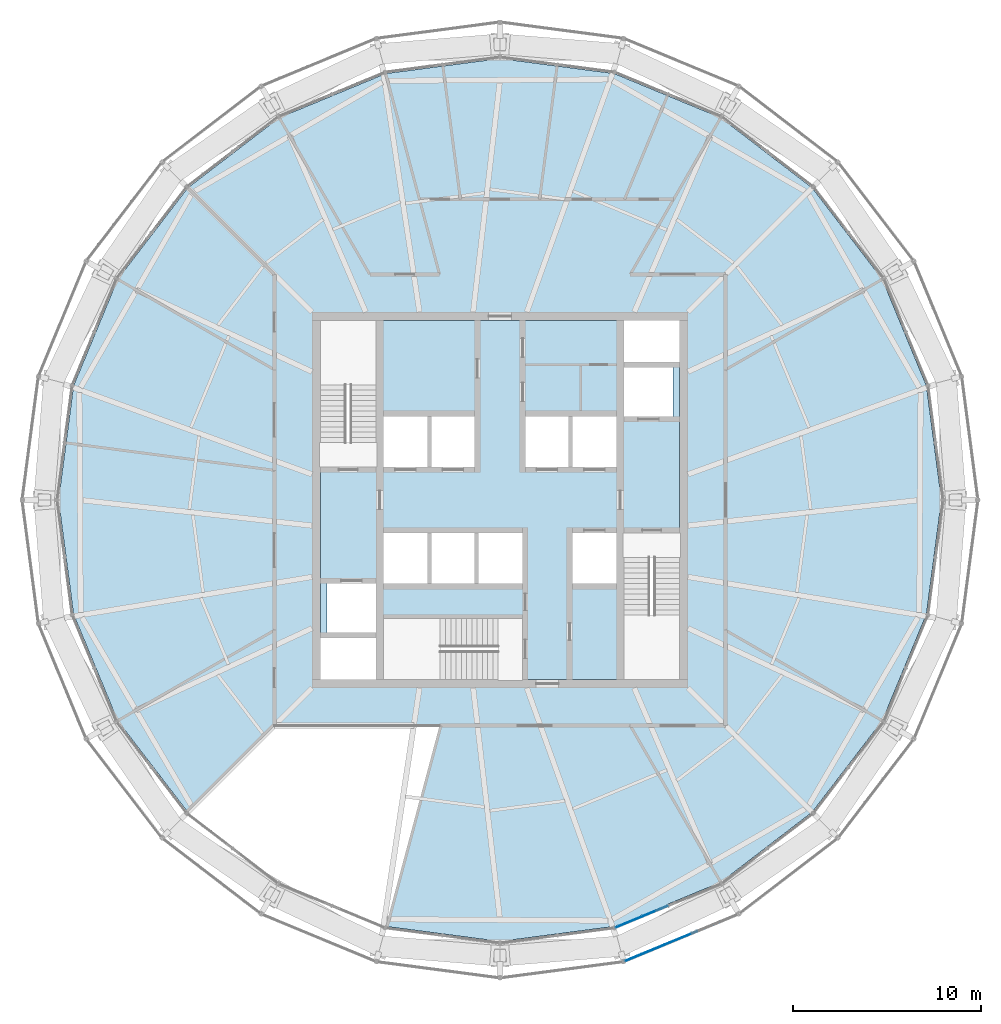
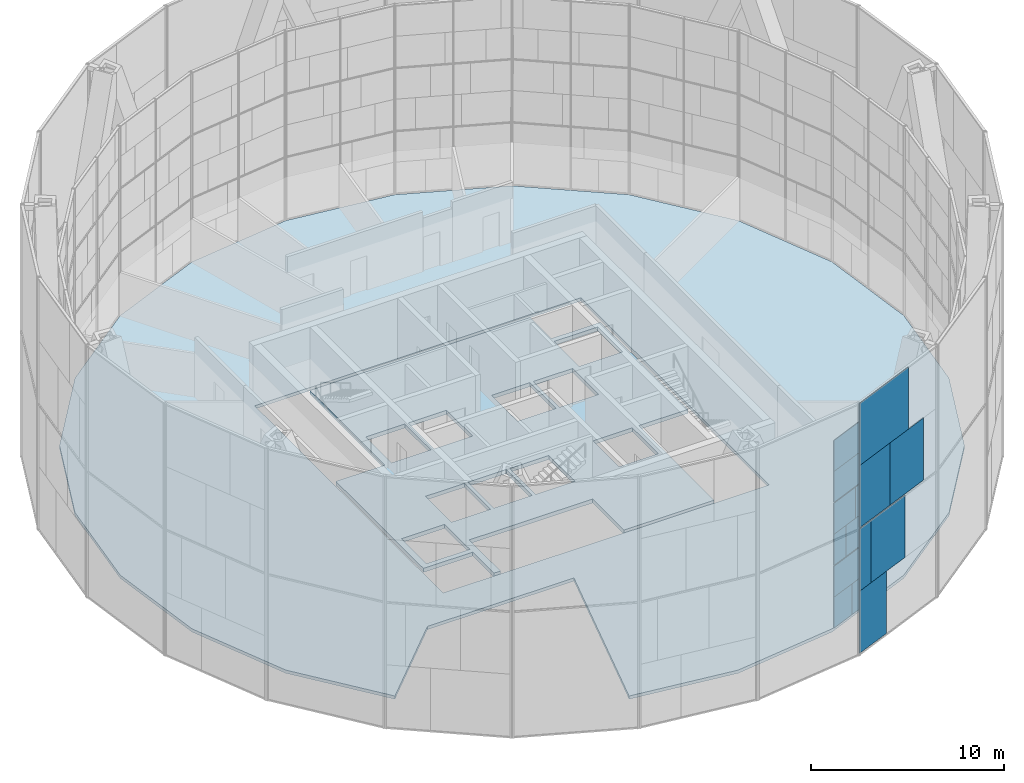
# One storey, part 15 of 26: 15 plates, 2 slabs, 2 elements without a shape of their own.
"""IFC4 building model written with IfcOpenShell, lengths in metres."""

from ifc_helpers import new_model, si_unit, direction, frame, origin, origin_2d, place, context, subcontext, project, spatial, polyline, rectangle, outline, extrude, material, layer, layer_set, type_object, element, aggregate, save


model = new_model("IFC4")

# Units and contexts
model_context = context("Model", 3, precision=1e-05, world=origin(), true_north=direction((0.0, 1.0)))
body_context = subcontext(model_context, "Body", "Model", "MODEL_VIEW")
ifc_project = project(units=[si_unit("LENGTHUNIT", "METRE"), si_unit("AREAUNIT", "SQUARE_METRE"), si_unit("VOLUMEUNIT", "CUBIC_METRE"), si_unit("PLANEANGLEUNIT", "RADIAN"), si_unit("MASSUNIT", "GRAM", prefix="KILO")], contexts=[model_context])

# Site, building, storey
site_placement = place(None, origin())
site = spatial("IfcSite", under=ifc_project, at=site_placement, CompositionType="ELEMENT")
building_placement = place(site_placement, origin())
building = spatial("IfcBuilding", under=site, at=building_placement, Name="Golbaran Civic Tower", CompositionType="ELEMENT")
storey_placement = place(building_placement, frame((0.0, 0.0, 199.0)))
storey = spatial("IfcBuildingStorey", under=building, at=storey_placement, Name="L48", CompositionType="ELEMENT", Elevation=199.0)

# Slabs
ifc_material_1 = material(Name="Concrete LC30/33 lightweight on steel deck", Category="concrete")
ifc_layer_1 = layer(ifc_material_1, 0.199951171875, Name="Concrete LC30/33 lightweight on steel deck")
ifc_layer_set_1 = layer_set([ifc_layer_1], Name="Concrete LC30/33 lightweight on steel deck")
slab_type_1 = type_object("IfcSlabType", Name="COMPOSITE FLOOR SLAB 200", PredefinedType="FLOOR", material=ifc_layer_set_1)
slab_1_placement = place(storey_placement, frame((0.0, 0.0, -0.199951171875)))
element("IfcSlab", 1, at=slab_1_placement, inside=storey, type_object=slab_type_1, Name="Floor slab L48", PredefinedType="FLOOR", context=body_context, shape_type="SweptSolid", body=[
    extrude(outline(polyline([(16.607421875, -16.607421875), (11.7431640625, -20.33984375), (6.07861328125, -22.68603515625), (0.0, -23.486328125), (-6.07861328125, -22.68603515625), (-3.21533203125, -12.0), (-12.0, -12.0), (-16.607421875, -16.607421875), (-20.33984375, -11.7431640625), (-22.68603515625, -6.07861328125), (-23.486328125, 0.0), (-22.68603515625, 6.07861328125), (-20.33984375, 11.7431640625), (-16.607421875, 16.607421875), (-11.7431640625, 20.33984375), (-6.07861328125, 22.68603515625), (0.0, 23.486328125), (6.07861328125, 22.68603515625), (11.7431640625, 20.33984375), (16.607421875, 16.607421875), (20.33984375, 11.7431640625), (22.68603515625, 6.07861328125), (23.486328125, 0.0), (22.68603515625, -6.07861328125), (20.33984375, -11.7431640625), (16.607421875, -16.607421875)]), holes=[polyline([(-9.77490234375, -9.77490234375), (9.77490234375, -9.77490234375), (9.77490234375, 9.77490234375), (-9.77490234375, 9.77490234375), (-9.77490234375, -9.77490234375)])]), origin(), (0.0, 0.0, 1.0), 0.199951171875),
])
ifc_material_2 = material(Name="Concrete C35/45", Category="concrete")
ifc_layer_2 = layer(ifc_material_2, 0.25, Name="Concrete C35/45")
ifc_layer_set_2 = layer_set([ifc_layer_2], Name="Concrete C35/45")
slab_type_2 = type_object("IfcSlabType", Name="CORE FLOOR SLAB 250", PredefinedType="FLOOR", material=ifc_layer_set_2)
slab_2_placement = place(storey_placement, frame((0.0, 0.0, -0.25)))
element("IfcSlab", 2, at=slab_2_placement, inside=storey, type_object=slab_type_2, Name="Core floor slab L48", PredefinedType="FLOOR", context=body_context, shape_type="SweptSolid", body=[
    extrude(outline(polyline([(6.60009765625, -1.75), (6.60009765625, -9.550048828125), (1.199951171875, -9.550048828125), (1.199951171875, -6.300048828125), (-6.199951171875, -6.300048828125), (-6.199951171875, -9.550048828125), (-6.60009765625, -9.550048828125), (-6.60009765625, -7.35009765625), (-9.550048828125, -7.35009765625), (-9.550048828125, 1.75), (-6.60009765625, 1.75), (-6.60009765625, 9.550048828125), (6.60009765625, 9.550048828125), (6.60009765625, 7.35009765625), (9.550048828125, 7.35009765625), (9.550048828125, -1.75), (6.60009765625, -1.75)]), holes=[polyline([(9.199951171875, 7.050048828125), (6.60009765625, 7.050048828125), (6.60009765625, 4.449951171875), (9.199951171875, 4.449951171875), (9.199951171875, 7.050048828125)]), polyline([(6.199951171875, -1.75), (3.85009765625, -1.75), (3.85009765625, -4.449951171875), (6.199951171875, -4.449951171875), (6.199951171875, -1.75)]), polyline([(6.199951171875, 4.449951171875), (3.85009765625, 4.449951171875), (3.85009765625, 1.75), (6.199951171875, 1.75), (6.199951171875, 4.449951171875)]), polyline([(3.64990234375, 4.449951171875), (1.35009765625, 4.449951171875), (1.35009765625, 1.75), (3.64990234375, 1.75), (3.64990234375, 4.449951171875)]), polyline([(1.199951171875, -1.75), (-1.14990234375, -1.75), (-1.14990234375, -4.449951171875), (1.199951171875, -4.449951171875), (1.199951171875, -1.75)]), polyline([(-1.35009765625, 4.449951171875), (-3.64990234375, 4.449951171875), (-3.64990234375, 1.75), (-1.35009765625, 1.75), (-1.35009765625, 4.449951171875)]), polyline([(-1.35009765625, -1.75), (-3.64990234375, -1.75), (-3.64990234375, -4.449951171875), (-1.35009765625, -4.449951171875), (-1.35009765625, -1.75)]), polyline([(-3.85009765625, -1.75), (-6.199951171875, -1.75), (-6.199951171875, -4.449951171875), (-3.85009765625, -4.449951171875), (-3.85009765625, -1.75)]), polyline([(-3.85009765625, 4.449951171875), (-6.199951171875, 4.449951171875), (-6.199951171875, 1.75), (-3.85009765625, 1.75), (-3.85009765625, 4.449951171875)]), polyline([(-6.60009765625, -4.449951171875), (-9.199951171875, -4.449951171875), (-9.199951171875, -7.050048828125), (-6.60009765625, -7.050048828125), (-6.60009765625, -4.449951171875)])]), origin(), (0.0, 0.0, 1.0), 0.25),
])

# Curtain wall, plates
ifc_material_3 = material(Name="Aluminium and glass", Category="aluminium")
curtain_wall_type_1 = type_object("IfcCurtainWallType", Name="INNER SKIN CURTAIN WALL EXECUTIVE", PredefinedType="NOTDEFINED", material=ifc_material_3)
curtain_wall_1_placement = place(storey_placement, origin())
curtain_wall_1 = element("IfcCurtainWall", 3, at=curtain_wall_1_placement, inside=storey, type_object=curtain_wall_type_1, Name="Inner skin L48 facet 20 CW2", ObjectType="INNER SKIN", PredefinedType="USERDEFINED")
ifc_material_4 = material(Name="Clear insulating glass", Category="glass")
ifc_layer_3 = layer(ifc_material_4, 0.031982421875, Name="Clear insulating glass")
ifc_layer_set_3 = layer_set([ifc_layer_3], Name="Clear insulating glass")
plate_type_1 = type_object("IfcPlateType", Name="INNER SKIN CURTAIN WALL EXECUTIVE GLAZED PANEL", PredefinedType="CURTAIN_PANEL", material=ifc_layer_set_3)
plate_1_placement = place(storey_placement, frame((8.251708984375, -21.87255859375, 0.06005859375), z_axis=(0.0, 0.0, 1.0), x_axis=(0.923879532518, 0.382683432349, 0.0)))
plate_1 = element("IfcPlate", 4, at=plate_1_placement, type_object=plate_type_1, Name="CW2 panel 1.1 part 2", PredefinedType="CURTAIN_PANEL", context=body_context, shape_type="SweptSolid", body=[
    extrude(rectangle(XDim=1.43310546875, YDim=0.031982421875, at=origin_2d()), origin(), (0.0, 0.0, 1.0), 1.955078125),
])
plate_2_placement = place(storey_placement, frame((6.634033203125, -22.54248046875, 4.02978515625), z_axis=(0.0, 0.0, 1.0), x_axis=(0.923879532518, 0.382683432349, 0.0)))
plate_2 = element("IfcPlate", 5, at=plate_2_placement, type_object=plate_type_1, Name="CW2 panel 1.2 part 1", PredefinedType="CURTAIN_PANEL", context=body_context, shape_type="SweptSolid", body=[
    extrude(rectangle(XDim=1.037109375, YDim=0.031982421875, at=origin_2d()), origin(), (0.0, 0.0, 1.0), 1.969970703125),
])
plate_3_placement = place(storey_placement, frame((6.99658203125, -22.392333984375, 6.0), z_axis=(0.0, 0.0, 1.0), x_axis=(0.923879532518, 0.382683432349, 0.0)))
plate_3 = element("IfcPlate", 6, at=plate_3_placement, type_object=plate_type_1, Name="CW2 panel 1.2 part 3", PredefinedType="CURTAIN_PANEL", context=body_context, shape_type="SweptSolid", body=[
    extrude(rectangle(XDim=1.822021484375, YDim=0.031982421875, at=origin_2d()), origin(), (0.0, 0.0, 1.0), 1.969970703125),
])
plate_4_placement = place(storey_placement, frame((7.34912109375, -22.246337890625, 8.030029296875), z_axis=(0.0, 0.0, 1.0), x_axis=(0.923879532518, 0.382683432349, 0.0)))
plate_4 = element("IfcPlate", 7, at=plate_4_placement, type_object=plate_type_1, Name="CW2 panel 1.3 part 1", PredefinedType="CURTAIN_PANEL", context=body_context, shape_type="SweptSolid", body=[
    extrude(rectangle(XDim=2.5849609375, YDim=0.031982421875, at=origin_2d()), origin(), (0.0, 0.0, 1.0), 1.955078125),
])
plate_5_placement = place(storey_placement, frame((7.534423828125, -22.169677734375, 9.98486328125), z_axis=(0.0, 0.0, 1.0), x_axis=(0.923879532518, 0.382683432349, 0.0)))
plate_5 = element("IfcPlate", 8, at=plate_5_placement, type_object=plate_type_1, Name="CW2 panel 1.3 part 3", PredefinedType="CURTAIN_PANEL", context=body_context, shape_type="SweptSolid", body=[
    extrude(rectangle(XDim=2.986083984375, YDim=0.031982421875, at=origin_2d()), origin(), (0.0, 0.0, 1.0), 1.955078125),
])
ifc_material_5 = material(Name="Aluminium faced opaque infill panel", Category="aluminium")
ifc_layer_4 = layer(ifc_material_5, 0.031982421875, Name="Aluminium faced opaque infill panel")
ifc_layer_set_4 = layer_set([ifc_layer_4], Name="Aluminium faced opaque infill panel")
plate_type_2 = type_object("IfcPlateType", Name="INNER SKIN CURTAIN WALL EXECUTIVE OPAQUE INFILL PANEL", PredefinedType="CURTAIN_PANEL", material=ifc_layer_set_4)
plate_6_placement = place(storey_placement, frame((6.872314453125, -22.44384765625, 0.06005859375), z_axis=(0.0, 0.0, 1.0), x_axis=(0.923879532518, 0.382683432349, 0.0)))
plate_6 = element("IfcPlate", 9, at=plate_6_placement, type_object=plate_type_2, Name="CW2 infill panel 1.1 part 1", PredefinedType="CURTAIN_PANEL", context=body_context, shape_type="SweptSolid", body=[
    extrude(rectangle(XDim=1.552978515625, YDim=0.031982421875, at=origin_2d()), origin(), (0.0, 0.0, 1.0), 1.955078125),
])
plate_7_placement = place(storey_placement, frame((7.232177734375, -22.294921875, 2.014892578125), z_axis=(0.0, 0.0, 1.0), x_axis=(0.923879532518, 0.382683432349, 0.0)))
plate_7 = element("IfcPlate", 10, at=plate_7_placement, type_object=plate_type_2, Name="CW2 infill panel 1.1 part 3", PredefinedType="CURTAIN_PANEL", context=body_context, shape_type="SweptSolid", body=[
    extrude(rectangle(XDim=2.33203125, YDim=0.031982421875, at=origin_2d()), origin(), (0.0, 0.0, 1.0), 1.955078125),
])
plate_8_placement = place(storey_placement, frame((8.013427734375, -21.97119140625, 4.02978515625), z_axis=(0.0, 0.0, 1.0), x_axis=(0.923879532518, 0.382683432349, 0.0)))
plate_8 = element("IfcPlate", 11, at=plate_8_placement, type_object=plate_type_2, Name="CW2 infill panel 1.2 part 2", PredefinedType="CURTAIN_PANEL", context=body_context, shape_type="SweptSolid", body=[
    extrude(rectangle(XDim=1.94921875, YDim=0.031982421875, at=origin_2d()), origin(), (0.0, 0.0, 1.0), 1.969970703125),
])
plate_9_placement = place(storey_placement, frame((8.3759765625, -21.821044921875, 6.0), z_axis=(0.0, 0.0, 1.0), x_axis=(0.923879532518, 0.382683432349, 0.0)))
plate_9 = element("IfcPlate", 12, at=plate_9_placement, type_object=plate_type_2, Name="CW2 infill panel 1.2 part 4", PredefinedType="CURTAIN_PANEL", context=body_context, shape_type="SweptSolid", body=[
    extrude(rectangle(XDim=1.1640625, YDim=0.031982421875, at=origin_2d()), origin(), (0.0, 0.0, 1.0), 1.969970703125),
])
aggregate(curtain_wall_1, [plate_6, plate_1, plate_7, plate_2, plate_8, plate_3, plate_9, plate_4, plate_5])

curtain_wall_type_2 = type_object("IfcCurtainWallType", Name="OUTER SKIN TERRACOTTA SCREEN", PredefinedType="NOTDEFINED", material=ifc_material_3)
curtain_wall_2_placement = place(storey_placement, origin())
curtain_wall_2 = element("IfcCurtainWall", 13, at=curtain_wall_2_placement, inside=storey, type_object=curtain_wall_type_2, Name="Outer skin L48 facet 20 CW3", ObjectType="OUTER SKIN", PredefinedType="USERDEFINED")
ifc_material_6 = material(Name="Clear laminated glass", Category="glass")
ifc_layer_5 = layer(ifc_material_6, 0.0400390625, Name="Clear laminated glass")
ifc_layer_set_5 = layer_set([ifc_layer_5], Name="Clear laminated glass")
plate_type_3 = type_object("IfcPlateType", Name="OUTER SKIN CLEAR GLASS PANEL", PredefinedType="CURTAIN_PANEL", material=ifc_layer_set_5)
plate_10_placement = place(storey_placement, frame((7.104736328125, -24.3447265625, 3.31005859375), z_axis=(0.0, 0.0, 1.0), x_axis=(0.923879532478, 0.382683432446, 0.0)))
plate_10 = element("IfcPlate", 14, at=plate_10_placement, type_object=plate_type_3, Name="CW3 panel 1.1 part 3", PredefinedType="CURTAIN_PANEL", context=body_context, shape_type="SweptSolid", body=[
    extrude(rectangle(XDim=0.972900390625, YDim=0.0400390625, at=origin_2d()), origin(), (0.0, 0.0, 1.0), 3.93994140625),
])
plate_11_placement = place(storey_placement, frame((7.84521484375, -24.0380859375, 7.330078125), z_axis=(0.0, 0.0, 1.0), x_axis=(0.923879532478, 0.382683432446, 0.0)))
plate_11 = element("IfcPlate", 15, at=plate_11_placement, type_object=plate_type_3, Name="CW3 panel 1.2 part 1", PredefinedType="CURTAIN_PANEL", context=body_context, shape_type="SweptSolid", body=[
    extrude(rectangle(XDim=2.575927734375, YDim=0.0400390625, at=origin_2d()), origin(), (0.0, 0.0, 1.0), 3.93994140625),
])
plate_12_placement = place(storey_placement, frame((8.57177734375, -23.737060546875, 11.27001953125), z_axis=(0.0, 0.0, 1.0), x_axis=(0.923879532478, 0.382683432446, 0.0)))
plate_12 = element("IfcPlate", 16, at=plate_12_placement, type_object=plate_type_3, Name="CW3 panel 1.2 part 4", PredefinedType="CURTAIN_PANEL", context=body_context, shape_type="SweptSolid", body=[
    extrude(rectangle(XDim=4.14892578125, YDim=0.0400390625, at=origin_2d()), origin(), (0.0, 0.0, 1.0), 3.93994140625),
])
ifc_material_7 = material(Name="Terracotta baguette screen", Category="masonry")
ifc_layer_6 = layer(ifc_material_7, 0.0400390625, Name="Terracotta baguette screen")
ifc_layer_set_6 = layer_set([ifc_layer_6], Name="Terracotta baguette screen")
plate_type_4 = type_object("IfcPlateType", Name="OUTER SKIN TERRACOTTA INFILL PANEL", PredefinedType="CURTAIN_PANEL", material=ifc_layer_set_6)
plate_13_placement = place(storey_placement, frame((7.7138671875, -24.09228515625, -0.6298828125), z_axis=(0.0, 0.0, 1.0), x_axis=(0.923879532478, 0.382683432446, 0.0)))
plate_13 = element("IfcPlate", 17, at=plate_13_placement, type_object=plate_type_4, Name="CW3 infill panel 1.1 part 1", PredefinedType="CURTAIN_PANEL", context=body_context, shape_type="SweptSolid", body=[
    extrude(rectangle(XDim=2.2919921875, YDim=0.0400390625, at=origin_2d()), origin(), (0.0, 0.0, 1.0), 3.93994140625),
])
plate_14_placement = place(storey_placement, frame((8.88818359375, -23.60595703125, 3.31005859375), z_axis=(0.0, 0.0, 1.0), x_axis=(0.923879532478, 0.382683432446, 0.0)))
plate_14 = element("IfcPlate", 18, at=plate_14_placement, type_object=plate_type_4, Name="CW3 infill panel 1.1 part 4", PredefinedType="CURTAIN_PANEL", context=body_context, shape_type="SweptSolid", body=[
    extrude(rectangle(XDim=2.887939453125, YDim=0.0400390625, at=origin_2d()), origin(), (0.0, 0.0, 1.0), 3.93994140625),
])
plate_15_placement = place(storey_placement, frame((10.36865234375, -22.99267578125, 7.330078125), z_axis=(0.0, 0.0, 1.0), x_axis=(0.923879532478, 0.382683432446, 0.0)))
plate_15 = element("IfcPlate", 19, at=plate_15_placement, type_object=plate_type_4, Name="CW3 infill panel 1.2 part 2", PredefinedType="CURTAIN_PANEL", context=body_context, shape_type="SweptSolid", body=[
    extrude(rectangle(XDim=2.886962890625, YDim=0.0400390625, at=origin_2d()), origin(), (0.0, 0.0, 1.0), 3.93994140625),
])
aggregate(curtain_wall_2, [plate_13, plate_10, plate_14, plate_11, plate_15, plate_12])

save(model, "model.ifc")
